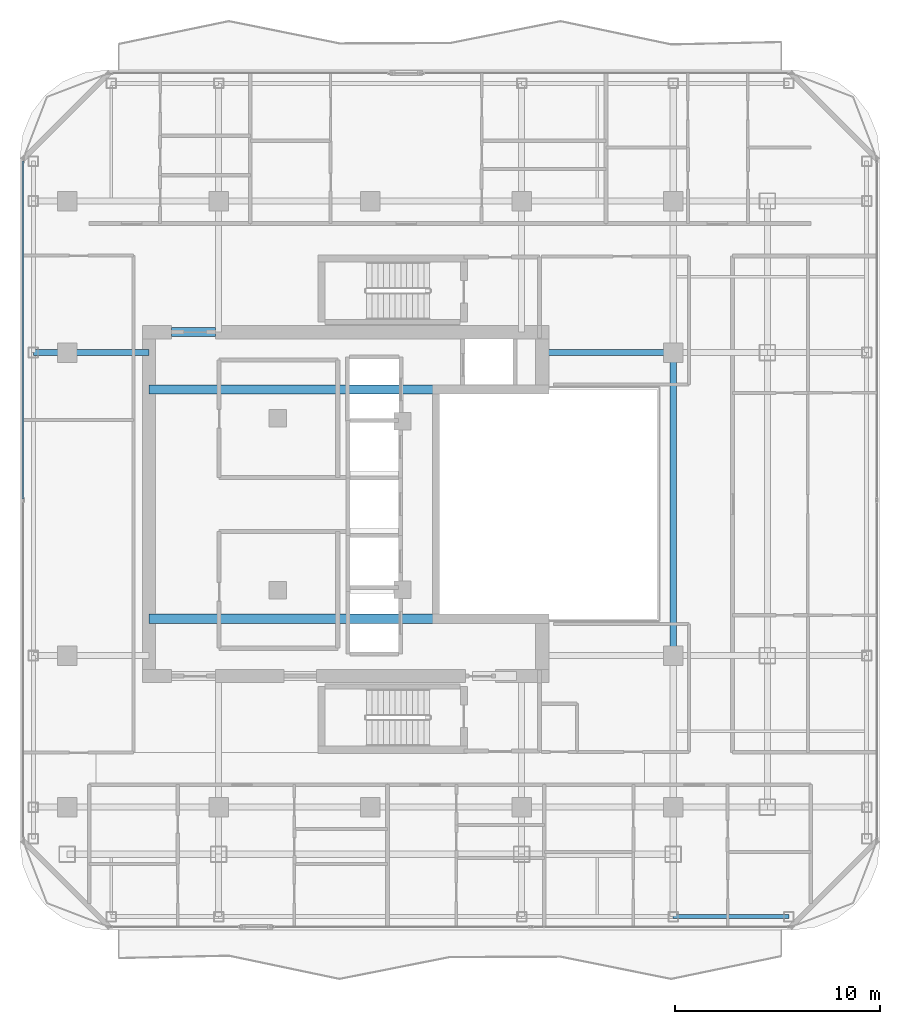
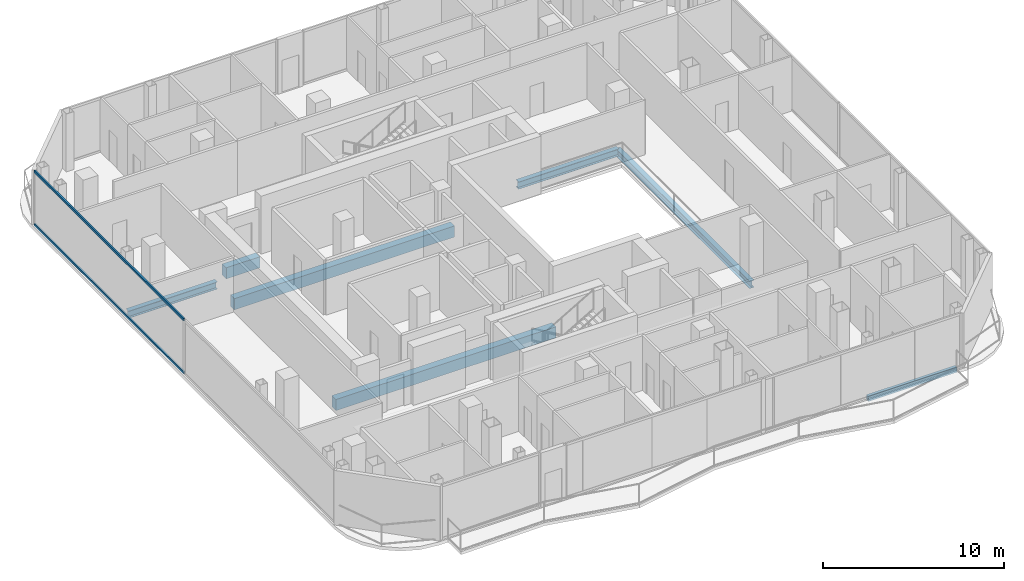
# One storey, part 6 of 23: 7 beams, 2 members, 1 element without a shape of its own.
"""IFC4 building model written with IfcOpenShell, lengths in metres."""

from ifc_helpers import new_model, si_unit, direction, frame, origin, origin_2d, place, context, subcontext, project, spatial, rectangle, hollow_rectangle, i_section, extrude, material, layer, layer_set, material_profile, profile_set, type_object, element, aggregate, save


model = new_model("IFC4")

# Units and contexts
model_context = context("Model", 3, precision=1e-05, world=origin(), true_north=direction((0.0, 1.0)))
body_context = subcontext(model_context, "Body", "Model", "MODEL_VIEW")
ifc_project = project(units=[si_unit("LENGTHUNIT", "METRE"), si_unit("AREAUNIT", "SQUARE_METRE"), si_unit("VOLUMEUNIT", "CUBIC_METRE"), si_unit("PLANEANGLEUNIT", "RADIAN"), si_unit("MASSUNIT", "GRAM", prefix="KILO")], contexts=[model_context])

# Site, building, storey
site_placement = place(None, origin())
site = spatial("IfcSite", under=ifc_project, at=site_placement, CompositionType="ELEMENT")
building_placement = place(site_placement, origin())
building = spatial("IfcBuilding", under=site, at=building_placement, Name="Khorvyn Point Tower", CompositionType="ELEMENT")
storey_placement = place(building_placement, frame((0.0, 0.0, 274.199951171875)))
storey = spatial("IfcBuildingStorey", under=building, at=storey_placement, Name="L67", CompositionType="ELEMENT", Elevation=274.199951171875)

# Curtain wall, members
ifc_material_1 = material(Name="Anodised aluminium 6063-T6 and laminated Low-E glass", Category="aluminium")
ifc_layer = layer(ifc_material_1, 0.18994140625)
ifc_layer_set = layer_set([ifc_layer], Name="Stick-Built High-Wind Curtain Wall CW-SYS-04")
curtain_wall_type = type_object("IfcCurtainWallType", Name="Stick-Built High-Wind Curtain Wall CW-SYS-04", PredefinedType="NOTDEFINED", material=ifc_layer_set)
curtain_wall_placement = place(storey_placement, origin())
curtain_wall = element("IfcCurtainWall", 1, at=curtain_wall_placement, inside=storey, type_object=curtain_wall_type, Name="Curtain Wall", PredefinedType="NOTDEFINED")
ifc_material_2 = material(Name="Anodised aluminium 6063-T6", Category="aluminium")
ifc_material_profile_1 = material_profile(ifc_material_2, hollow_rectangle(XDim=0.10009765625, YDim=0.159912109375, WallThickness=0.00439453125, at=origin_2d()))
ifc_profile_set_1 = profile_set([ifc_material_profile_1], Name="Anodised aluminium 6063-T6 ALU-TRN-100x160")
member_type = type_object("IfcMemberType", Name="Anodised Aluminium 6063-T6 Transom ALU-TRN-100x160", PredefinedType="USERDEFINED", material=ifc_profile_set_1)
member_1_placement = place(storey_placement, frame((-16.949951171875, 0.25, 0.050048828125), z_axis=(0.0, 1.0, 0.0), x_axis=(-1.0, 0.0, 0.0)))
member_1 = element("IfcMember", 2, at=member_1_placement, type_object=member_type, Name="Transom", ObjectType="TRANSOM", PredefinedType="USERDEFINED", context=body_context, shape_type="SweptSolid", body=[
    extrude(hollow_rectangle(XDim=0.10009765625, YDim=0.159912109375, WallThickness=0.00439453125, at=origin_2d()), origin(), (0.0, 0.0, 1.0), 16.5),
])
member_2_placement = place(storey_placement, frame((-16.949951171875, 0.25, 3.630126953125), z_axis=(0.0, 1.0, 0.0), x_axis=(-1.0, 0.0, 0.0)))
member_2 = element("IfcMember", 3, at=member_2_placement, type_object=member_type, Name="Transom", ObjectType="TRANSOM", PredefinedType="USERDEFINED", context=body_context, shape_type="SweptSolid", body=[
    extrude(hollow_rectangle(XDim=0.10009765625, YDim=0.159912109375, WallThickness=0.00439453125, at=origin_2d()), origin(), (0.0, 0.0, 1.0), 16.5),
])
aggregate(curtain_wall, [member_1, member_2])

# Beams
ifc_material_3 = material(Name="Concrete C40/50", Category="concrete")
ifc_material_profile_2 = material_profile(ifc_material_3, rectangle(XDim=0.449951171875, YDim=0.75, at=origin_2d()))
ifc_profile_set_2 = profile_set([ifc_material_profile_2], Name="Concrete C40/50 RC450x750")
beam_type_1 = type_object("IfcBeamType", Name="Concrete C40/50 Beam RC450x750", PredefinedType="BEAM", material=ifc_profile_set_2)
for number, where, z_axis, x_axis, name in (
    (4, (-10.800048828125, -5.60009765625, -0.594970703125), (1.0, 0.0, 0.0), (0.0, 1.0, 0.0), "L67 Core Internal Tie Girder S"),
    (5, (-10.800048828125, 5.60009765625, -0.594970703125), (1.0, 0.0, 0.0), (0.0, 1.0, 0.0), "L67 Core Internal Tie Girder N"),
):
    element("IfcBeam", number, at=place(storey_placement, frame(where, z_axis=z_axis, x_axis=x_axis)), inside=storey, type_object=beam_type_1, Name=name, PredefinedType="BEAM", context=body_context, shape_type="SweptSolid", body=[
        extrude(rectangle(XDim=0.449951171875, YDim=0.75, at=origin_2d()), origin(), (0.0, 0.0, 1.0), 14.02001953125),
    ])
beam_1_placement = place(storey_placement, frame((-9.699951171875, 8.39990234375, -0.594970703125), z_axis=(1.0, 0.0, 0.0), x_axis=(0.0, 1.0, 0.0)))
element("IfcBeam", 6, at=beam_1_placement, inside=storey, type_object=beam_type_1, Name="L67 Core Northwest Portal Coupling Beam", PredefinedType="BEAM", context=body_context, shape_type="SweptSolid", body=[
    extrude(rectangle(XDim=0.449951171875, YDim=0.75, at=origin_2d()), origin(), (0.0, 0.0, 1.0), 2.14990234375),
])
ifc_material_4 = material(Name="Steel S355", Category="steel")
ifc_material_profile_3 = material_profile(ifc_material_4, i_section(OverallWidth=0.300048828125, OverallDepth=0.488037109375, WebThickness=0.010986328125, FlangeThickness=0.01806640625, at=origin_2d()))
ifc_profile_set_3 = profile_set([ifc_material_profile_3], Name="Steel S355 H488x300x11x18")
beam_type_2 = type_object("IfcBeamType", Name="Steel S355 Spandrel H488x300x11x18", PredefinedType="SPANDREL", material=ifc_profile_set_3)
beam_2_placement = place(storey_placement, frame((-16.449951171875, 7.39990234375, -0.4638671875), z_axis=(1.0, 0.0, 0.0), x_axis=(0.0, 1.0, 0.0)))
element("IfcBeam", 7, at=beam_2_placement, inside=storey, type_object=beam_type_2, Name="Beam", PredefinedType="SPANDREL", context=body_context, shape_type="SweptSolid", body=[
    extrude(i_section(OverallWidth=0.300048828125, OverallDepth=0.488037109375, WebThickness=0.010986328125, FlangeThickness=0.01806640625, at=origin_2d()), origin(), (0.0, 0.0, 1.0), 5.64990234375),
])
beam_3_placement = place(storey_placement, frame((8.39990234375, 7.39990234375, -0.4638671875), z_axis=(1.0, 0.0, 0.0), x_axis=(0.0, 1.0, 0.0)))
element("IfcBeam", 8, at=beam_3_placement, inside=storey, type_object=beam_type_2, Name="Beam", PredefinedType="SPANDREL", context=body_context, shape_type="SweptSolid", body=[
    extrude(i_section(OverallWidth=0.300048828125, OverallDepth=0.488037109375, WebThickness=0.010986328125, FlangeThickness=0.01806640625, at=origin_2d()), origin(), (0.0, 0.0, 1.0), 6.400146484375),
])
beam_4_placement = place(storey_placement, frame((14.800048828125, -7.39990234375, -0.4638671875), z_axis=(0.0, 1.0, 0.0), x_axis=(-1.0, 0.0, 0.0)))
element("IfcBeam", 9, at=beam_4_placement, inside=storey, type_object=beam_type_2, Name="Beam", PredefinedType="SPANDREL", context=body_context, shape_type="SweptSolid", body=[
    extrude(i_section(OverallWidth=0.300048828125, OverallDepth=0.488037109375, WebThickness=0.010986328125, FlangeThickness=0.01806640625, at=origin_2d()), origin(), (0.0, 0.0, 1.0), 14.7998046875),
])
ifc_material_profile_4 = material_profile(ifc_material_4, hollow_rectangle(XDim=0.199951171875, YDim=0.35009765625, WallThickness=0.013916015625, at=origin_2d()))
ifc_profile_set_4 = profile_set([ifc_material_profile_4], Name="Steel S355 RHS350x200x14")
beam_type_3 = type_object("IfcBeamType", Name="Steel S355 Spandrel RHS350x200x14", PredefinedType="SPANDREL", material=ifc_profile_set_4)
beam_5_placement = place(storey_placement, frame((14.800048828125, -20.14990234375, -0.39501953125), z_axis=(1.0, 0.0, 0.0), x_axis=(0.0, 1.0, 0.0)))
element("IfcBeam", 10, at=beam_5_placement, inside=storey, type_object=beam_type_3, Name="Beam", PredefinedType="SPANDREL", context=body_context, shape_type="SweptSolid", body=[
    extrude(hollow_rectangle(XDim=0.199951171875, YDim=0.35009765625, WallThickness=0.013916015625, at=origin_2d()), origin(), (0.0, 0.0, 1.0), 5.64990234375),
])

save(model, "model.ifc")
